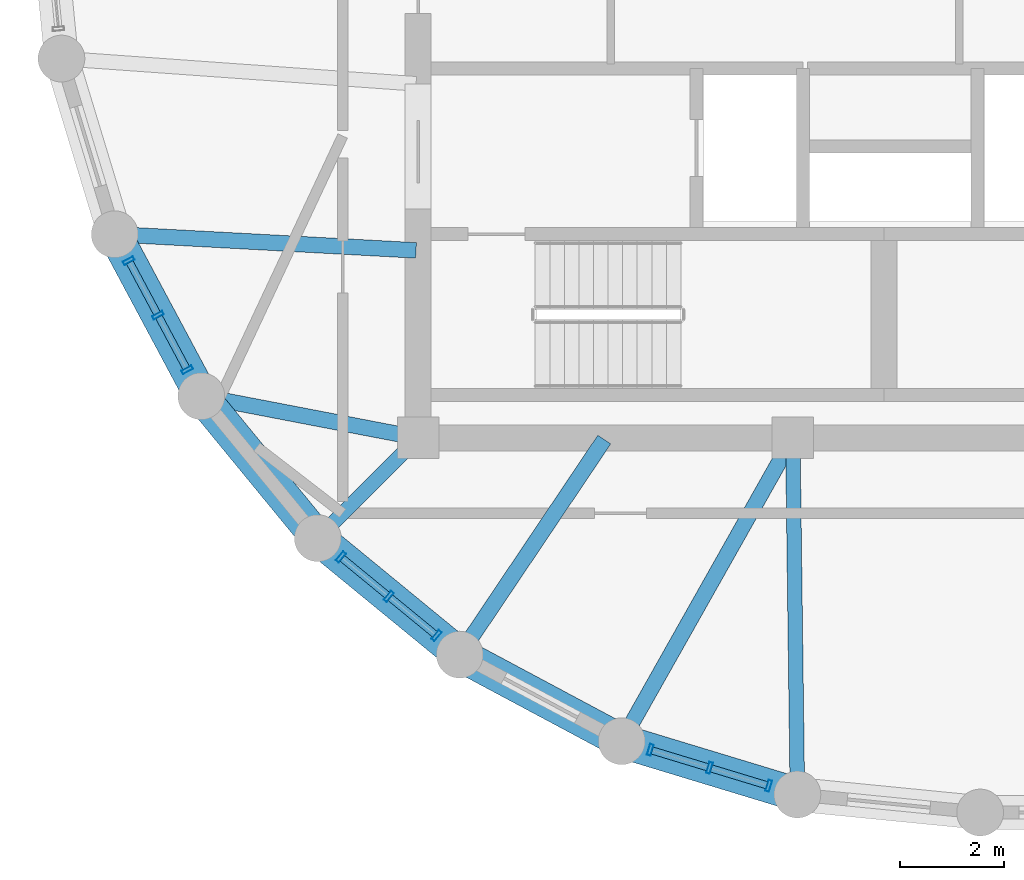
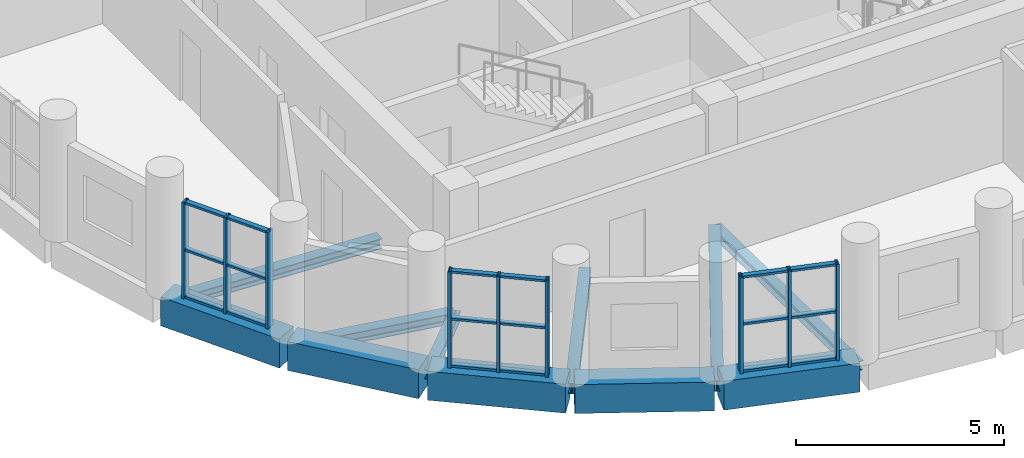
# One storey, part 2 of 11: 27 members, 11 beams, 3 elements without a shape of their own.
"""IFC4 building model written with IfcOpenShell, lengths in metres."""

from ifc_helpers import new_model, si_unit, direction, frame, origin, origin_2d, place, context, subcontext, project, spatial, rectangle, hollow_rectangle, i_section, extrude, material, layer, layer_set, material_profile, profile_set, type_object, element, aggregate, save


model = new_model("IFC4")

# Units and contexts
model_context = context("Model", 3, precision=1e-05, world=origin(), true_north=direction((0.0, 1.0)))
body_context = subcontext(model_context, "Body", "Model", "MODEL_VIEW")
ifc_project = project(units=[si_unit("LENGTHUNIT", "METRE"), si_unit("AREAUNIT", "SQUARE_METRE"), si_unit("VOLUMEUNIT", "CUBIC_METRE"), si_unit("PLANEANGLEUNIT", "RADIAN"), si_unit("MASSUNIT", "GRAM", prefix="KILO")], contexts=[model_context])

# Site, building, storey
site_placement = place(None, origin())
site = spatial("IfcSite", under=ifc_project, at=site_placement, CompositionType="ELEMENT")
building_placement = place(site_placement, origin())
building = spatial("IfcBuilding", under=site, at=building_placement, Name="Solnavia Interchange Tower", CompositionType="ELEMENT")
storey_placement = place(building_placement, frame((0.0, 0.0, 217.39990234375)))
storey = spatial("IfcBuildingStorey", under=building, at=storey_placement, Name="L54", CompositionType="ELEMENT", Elevation=217.39990234375)

# Beams
ifc_material_1 = material(Name="Steel S460", Category="steel")
ifc_material_profile_1 = material_profile(ifc_material_1, i_section(OverallWidth=0.300048828125, OverallDepth=0.300048828125, WebThickness=0.010986328125, FlangeThickness=0.01904296875, FilletRadius=0.027099609375, at=origin_2d()), Name="HEB 300")
ifc_profile_set_1 = profile_set([ifc_material_profile_1], Name="Steel S460")
beam_type_1 = type_object("IfcBeamType", Name="Beam-Girder-HEB300", PredefinedType="BEAM", material=ifc_profile_set_1)
beam_1_placement = place(storey_placement, frame((8.64990234375, 14.707763671875, -0.39990234375), z_axis=(0.998570371303, -0.053452909696, 0.0), x_axis=(0.053452909696, 0.998570371303, 0.0)))
element("IfcBeam", 1, at=beam_1_placement, inside=storey, type_object=beam_type_1, Name="GRD-L54-DR13 Drum radial floor girder", PredefinedType="BEAM", context=body_context, shape_type="SweptSolid", body=[
    extrude(i_section(OverallWidth=0.300048828125, OverallDepth=0.300048828125, WebThickness=0.010986328125, FlangeThickness=0.01904296875, FilletRadius=0.027099609375, at=origin_2d()), origin(), (0.0, 0.0, 1.0), 5.71826171875),
])
beam_2_placement = place(storey_placement, frame((15.24462890625, 6.700439453125, -0.39990234375), z_axis=(0.557835474219, 0.829951555033, 0.0), x_axis=(-0.829951555033, 0.557835474219, 0.0)))
element("IfcBeam", 2, at=beam_2_placement, inside=storey, type_object=beam_type_1, Name="GRD-L54-DR16 Drum radial floor girder", PredefinedType="BEAM", context=body_context, shape_type="SweptSolid", body=[
    extrude(i_section(OverallWidth=0.300048828125, OverallDepth=0.300048828125, WebThickness=0.010986328125, FlangeThickness=0.01904296875, FilletRadius=0.027099609375, at=origin_2d()), origin(), (0.0, 0.0, 1.0), 4.899658203125),
])
ifc_material_2 = material(Name="Steel S355", Category="steel")
ifc_material_profile_2 = material_profile(ifc_material_2, i_section(OverallWidth=0.280029296875, OverallDepth=0.27001953125, WebThickness=0.008056640625, FlangeThickness=0.012939453125, FilletRadius=0.02392578125, at=origin_2d()), Name="HEA 280")
ifc_profile_set_2 = profile_set([ifc_material_profile_2], Name="Steel S355")
beam_type_2 = type_object("IfcBeamType", Name="Beam-Primary-HEA280", PredefinedType="BEAM", material=ifc_profile_set_2)
beam_3_placement = place(storey_placement, frame((12.528564453125, 8.9287109375, -0.385009765625), z_axis=(0.707106781187, 0.707106781187, 0.0), x_axis=(-0.707106781187, 0.707106781187, 0.0)))
element("IfcBeam", 3, at=beam_3_placement, inside=storey, type_object=beam_type_2, Name="GRD-L54-DR15 Drum radial floor girder", PredefinedType="BEAM", context=body_context, shape_type="SweptSolid", body=[
    extrude(i_section(OverallWidth=0.280029296875, OverallDepth=0.27001953125, WebThickness=0.008056640625, FlangeThickness=0.012939453125, FilletRadius=0.02392578125, at=origin_2d()), origin(), (0.0, 0.0, 1.0), 2.6064453125),
])
beam_4_placement = place(storey_placement, frame((21.68701171875, 4.02587890625, -0.385009765625), z_axis=(-0.01283293513, 0.999917654498, 0.0), x_axis=(-0.999917654498, -0.01283293513, 0.0)))
element("IfcBeam", 4, at=beam_4_placement, inside=storey, type_object=beam_type_2, Name="GRD-L54-DR18 Drum radial floor girder", PredefinedType="BEAM", context=body_context, shape_type="SweptSolid", body=[
    extrude(i_section(OverallWidth=0.280029296875, OverallDepth=0.27001953125, WebThickness=0.008056640625, FlangeThickness=0.012939453125, FilletRadius=0.02392578125, at=origin_2d()), origin(), (0.0, 0.0, 1.0), 6.734619140625),
])
ifc_material_profile_3 = material_profile(ifc_material_2, i_section(OverallWidth=0.300048828125, OverallDepth=0.31005859375, WebThickness=0.009033203125, FlangeThickness=0.015380859375, FilletRadius=0.027099609375, at=origin_2d()), Name="HEA 320")
ifc_profile_set_3 = profile_set([ifc_material_profile_3], Name="Steel S355")
beam_type_3 = type_object("IfcBeamType", Name="Beam-Primary-HEA320", PredefinedType="BEAM", material=ifc_profile_set_3)
beam_5_placement = place(storey_placement, frame((10.3125, 11.5849609375, -0.40478515625), z_axis=(0.982057527796, -0.188581579428, 0.0), x_axis=(0.188581579428, 0.982057527796, 0.0)))
element("IfcBeam", 5, at=beam_5_placement, inside=storey, type_object=beam_type_3, Name="GRD-L54-DR14 Drum radial floor girder", PredefinedType="BEAM", context=body_context, shape_type="SweptSolid", body=[
    extrude(i_section(OverallWidth=0.300048828125, OverallDepth=0.31005859375, WebThickness=0.009033203125, FlangeThickness=0.015380859375, FilletRadius=0.027099609375, at=origin_2d()), origin(), (0.0, 0.0, 1.0), 4.1220703125),
])
beam_6_placement = place(storey_placement, frame((18.351318359375, 5.039794921875, -0.40478515625), z_axis=(0.491243158486, 0.871022479182, 0.0), x_axis=(-0.871022479182, 0.491243158486, 0.0)))
element("IfcBeam", 6, at=beam_6_placement, inside=storey, type_object=beam_type_3, Name="GRD-L54-DR17 Drum radial floor girder", PredefinedType="BEAM", context=body_context, shape_type="SweptSolid", body=[
    extrude(i_section(OverallWidth=0.300048828125, OverallDepth=0.31005859375, WebThickness=0.009033203125, FlangeThickness=0.015380859375, FilletRadius=0.027099609375, at=origin_2d()), origin(), (0.0, 0.0, 1.0), 6.5732421875),
])
ifc_material_3 = material(Name="Concrete C50/60", Category="concrete")
ifc_material_profile_4 = material_profile(ifc_material_3, rectangle(XDim=0.64990234375, YDim=0.85009765625, at=origin_2d()), Name="RC 650x850")
ifc_profile_set_4 = profile_set([ifc_material_profile_4], Name="Concrete C50/60")
beam_type_4 = type_object("IfcBeamType", Name="Beam-Spandrel-RC650x850", PredefinedType="SPANDREL", material=ifc_profile_set_4)
beam_7_placement = place(storey_placement, frame((8.607666015625, 14.6416015625, -0.4248046875), z_axis=(0.471509422952, -0.881861023102, 0.0), x_axis=(0.881861023102, 0.471509422952, 0.0)))
element("IfcBeam", 7, at=beam_7_placement, inside=storey, type_object=beam_type_4, Name="SPB-L54-03 Framed-tube perimeter spandrel beam", PredefinedType="SPANDREL", context=body_context, shape_type="SweptSolid", body=[
    extrude(rectangle(XDim=0.64990234375, YDim=0.85009765625, at=origin_2d()), origin(), (0.0, 0.0, 1.0), 3.369140625),
])
for number, where, z_axis, x_axis, name in (
    (8, (10.28466796875, 11.5380859375, -0.4248046875), (0.634298841675, -0.773087950656, 0.0), (0.773087950656, 0.634298841675, 0.0), "SPB-L54-04 Framed-tube perimeter spandrel beam"),
    (9, (12.53369140625, 8.8212890625, -0.4248046875), (0.773152644452, -0.634219984214, 0.0), (0.634219984214, 0.773152644452, 0.0), "SPB-L54-05 Framed-tube perimeter spandrel beam"),
):
    element("IfcBeam", number, at=place(storey_placement, frame(where, z_axis=z_axis, x_axis=x_axis)), inside=storey, type_object=beam_type_4, Name=name, PredefinedType="SPANDREL", context=body_context, shape_type="SweptSolid", body=[
        extrude(rectangle(XDim=0.64990234375, YDim=0.85009765625, at=origin_2d()), origin(), (0.0, 0.0, 1.0), 3.36865234375),
    ])
beam_8_placement = place(storey_placement, frame((15.2705078125, 6.59619140625, -0.4248046875), z_axis=(0.881875044348, -0.47148319817, 0.0), x_axis=(0.47148319817, 0.881875044348, 0.0)))
element("IfcBeam", 10, at=beam_8_placement, inside=storey, type_object=beam_type_4, Name="SPB-L54-06 Framed-tube perimeter spandrel beam", PredefinedType="SPANDREL", context=body_context, shape_type="SweptSolid", body=[
    extrude(rectangle(XDim=0.64990234375, YDim=0.85009765625, at=origin_2d()), origin(), (0.0, 0.0, 1.0), 3.368896484375),
])
beam_9_placement = place(storey_placement, frame((18.388671875, 4.94677734375, -0.4248046875), z_axis=(0.956943884494, -0.290272978297, 0.0), x_axis=(0.290272978297, 0.956943884494, 0.0)))
element("IfcBeam", 11, at=beam_9_placement, inside=storey, type_object=beam_type_4, Name="SPB-L54-07 Framed-tube perimeter spandrel beam", PredefinedType="SPANDREL", context=body_context, shape_type="SweptSolid", body=[
    extrude(rectangle(XDim=0.64990234375, YDim=0.85009765625, at=origin_2d()), origin(), (0.0, 0.0, 1.0), 3.36767578125),
])

# Curtain wall, members
ifc_material_4 = material(Name="Aluminium Alloy 6063-T6", Category="aluminium")
ifc_layer = layer(ifc_material_4, 0.239990234375)
ifc_layer_set = layer_set([ifc_layer], Name="Aluminium Alloy 6063-T6")
curtain_wall_type = type_object("IfcCurtainWallType", Name="CurtainWall-Drum-CTW2", PredefinedType="NOTDEFINED", material=ifc_layer_set)
curtain_wall_1_placement = place(storey_placement, origin())
curtain_wall_1 = element("IfcCurtainWall", 12, at=curtain_wall_1_placement, inside=storey, type_object=curtain_wall_type, Name="CTW-L54-D49 CTW-2 curtain wall", PredefinedType="NOTDEFINED")
ifc_material_profile_5 = material_profile(ifc_material_4, hollow_rectangle(XDim=0.074951171875, YDim=0.219970703125, WallThickness=0.0048828125, at=origin_2d()), Name="ALU 220x75x5")
ifc_profile_set_5 = profile_set([ifc_material_profile_5], Name="Aluminium Alloy 6063-T6")
member_type_1 = type_object("IfcMemberType", Name="CW-Mullion-CWM-2", PredefinedType="MULLION", material=ifc_profile_set_5)
member_1_placement = place(storey_placement, frame((8.841064453125, 14.204833984375, 0.0), z_axis=(0.0, 0.0, 1.0), x_axis=(0.471560876964, -0.881833509976, 0.0)))
member_1 = element("IfcMember", 13, at=member_1_placement, type_object=member_type_1, Name="CTW-2 mullion 1", PredefinedType="MULLION", context=body_context, shape_type="SweptSolid", body=[
    extrude(hollow_rectangle(XDim=0.074951171875, YDim=0.219970703125, WallThickness=0.0048828125, at=origin_2d()), origin(), (0.0, 0.0, 1.0), 2.830078125),
])
member_2_placement = place(storey_placement, frame((9.402099609375, 13.156005859375, 0.0), z_axis=(0.0, 0.0, 1.0), x_axis=(0.471560876964, -0.881833509976, 0.0)))
member_2 = element("IfcMember", 14, at=member_2_placement, type_object=member_type_1, Name="CTW-2 mullion 2", PredefinedType="MULLION", context=body_context, shape_type="SweptSolid", body=[
    extrude(hollow_rectangle(XDim=0.074951171875, YDim=0.219970703125, WallThickness=0.0048828125, at=origin_2d()), origin(), (0.0, 0.0, 1.0), 2.830078125),
])
member_3_placement = place(storey_placement, frame((9.962890625, 12.107177734375, 0.0), z_axis=(0.0, 0.0, 1.0), x_axis=(0.471560876964, -0.881833509976, 0.0)))
member_3 = element("IfcMember", 15, at=member_3_placement, type_object=member_type_1, Name="CTW-2 mullion 3", PredefinedType="MULLION", context=body_context, shape_type="SweptSolid", body=[
    extrude(hollow_rectangle(XDim=0.074951171875, YDim=0.219970703125, WallThickness=0.0048828125, at=origin_2d()), origin(), (0.0, 0.0, 1.0), 2.830078125),
])

curtain_wall_2_placement = place(storey_placement, origin())
curtain_wall_2 = element("IfcCurtainWall", 16, at=curtain_wall_2_placement, inside=storey, type_object=curtain_wall_type, Name="CTW-L54-D51 CTW-2 curtain wall", PredefinedType="NOTDEFINED")
member_4_placement = place(storey_placement, frame((12.91650390625, 8.50732421875, 0.0), z_axis=(0.0, 0.0, 1.0), x_axis=(0.773103093557, -0.634280384951, 0.0)))
member_4 = element("IfcMember", 17, at=member_4_placement, type_object=member_type_1, Name="CTW-2 mullion 1", PredefinedType="MULLION", context=body_context, shape_type="SweptSolid", body=[
    extrude(hollow_rectangle(XDim=0.074951171875, YDim=0.219970703125, WallThickness=0.0048828125, at=origin_2d()), origin(), (0.0, 0.0, 1.0), 2.830078125),
])
member_5_placement = place(storey_placement, frame((13.8359375, 7.7529296875, 0.0), z_axis=(0.0, 0.0, 1.0), x_axis=(0.773103093557, -0.634280384951, 0.0)))
member_5 = element("IfcMember", 18, at=member_5_placement, type_object=member_type_1, Name="CTW-2 mullion 2", PredefinedType="MULLION", context=body_context, shape_type="SweptSolid", body=[
    extrude(hollow_rectangle(XDim=0.074951171875, YDim=0.219970703125, WallThickness=0.0048828125, at=origin_2d()), origin(), (0.0, 0.0, 1.0), 2.830078125),
])
member_6_placement = place(storey_placement, frame((14.75537109375, 6.998779296875, 0.0), z_axis=(0.0, 0.0, 1.0), x_axis=(0.773103093557, -0.634280384951, 0.0)))
member_6 = element("IfcMember", 19, at=member_6_placement, type_object=member_type_1, Name="CTW-2 mullion 3", PredefinedType="MULLION", context=body_context, shape_type="SweptSolid", body=[
    extrude(hollow_rectangle(XDim=0.074951171875, YDim=0.219970703125, WallThickness=0.0048828125, at=origin_2d()), origin(), (0.0, 0.0, 1.0), 2.830078125),
])

curtain_wall_3_placement = place(storey_placement, origin())
curtain_wall_3 = element("IfcCurtainWall", 20, at=curtain_wall_3_placement, inside=storey, type_object=curtain_wall_type, Name="CTW-L54-D53 CTW-2 curtain wall", PredefinedType="NOTDEFINED")
member_7_placement = place(storey_placement, frame((18.8623046875, 4.80322265625, 0.0), z_axis=(0.0, 0.0, 1.0), x_axis=(0.956942072515, -0.290278951786, 0.0)))
member_7 = element("IfcMember", 21, at=member_7_placement, type_object=member_type_1, Name="CTW-2 mullion 1", PredefinedType="MULLION", context=body_context, shape_type="SweptSolid", body=[
    extrude(hollow_rectangle(XDim=0.074951171875, YDim=0.219970703125, WallThickness=0.0048828125, at=origin_2d()), origin(), (0.0, 0.0, 1.0), 2.830078125),
])
member_8_placement = place(storey_placement, frame((20.0, 4.4580078125, 0.0), z_axis=(0.0, 0.0, 1.0), x_axis=(0.956942072515, -0.290278951786, 0.0)))
member_8 = element("IfcMember", 22, at=member_8_placement, type_object=member_type_1, Name="CTW-2 mullion 2", PredefinedType="MULLION", context=body_context, shape_type="SweptSolid", body=[
    extrude(hollow_rectangle(XDim=0.074951171875, YDim=0.219970703125, WallThickness=0.0048828125, at=origin_2d()), origin(), (0.0, 0.0, 1.0), 2.830078125),
])
member_9_placement = place(storey_placement, frame((21.1376953125, 4.11279296875, 0.0), z_axis=(0.0, 0.0, 1.0), x_axis=(0.956942072515, -0.290278951786, 0.0)))
member_9 = element("IfcMember", 23, at=member_9_placement, type_object=member_type_1, Name="CTW-2 mullion 3", PredefinedType="MULLION", context=body_context, shape_type="SweptSolid", body=[
    extrude(hollow_rectangle(XDim=0.074951171875, YDim=0.219970703125, WallThickness=0.0048828125, at=origin_2d()), origin(), (0.0, 0.0, 1.0), 2.830078125),
])

# Member
ifc_material_profile_6 = material_profile(ifc_material_4, hollow_rectangle(XDim=0.06494140625, YDim=0.139892578125, WallThickness=0.00390625, at=origin_2d()), Name="ALU 140x65x4")
ifc_profile_set_6 = profile_set([ifc_material_profile_6], Name="Aluminium Alloy 6063-T6")
member_type_2 = type_object("IfcMemberType", Name="CW-Transom-CWT-2", PredefinedType="USERDEFINED", material=ifc_profile_set_6)
member_10_placement = place(storey_placement, frame((8.85888671875, 14.171875, 0.03271484375), z_axis=(0.471406647105, -0.881915967122, 0.0), x_axis=(0.0, 0.0, 1.0)))
member_10 = element("IfcMember", 24, at=member_10_placement, type_object=member_type_2, Name="CTW-2 transom 1.1", ObjectType="TRANSOM", PredefinedType="USERDEFINED", context=body_context, shape_type="SweptSolid", body=[
    extrude(hollow_rectangle(XDim=0.06494140625, YDim=0.139892578125, WallThickness=0.00390625, at=origin_2d()), origin(), (0.0, 0.0, 1.0), 1.114501953125),
])

member_11_placement = place(storey_placement, frame((8.85888671875, 14.171875, 1.4150390625), z_axis=(0.471406647105, -0.881915967122, 0.0), x_axis=(0.0, 0.0, 1.0)))
member_11 = element("IfcMember", 25, at=member_11_placement, type_object=member_type_2, Name="CTW-2 transom 1.2", ObjectType="TRANSOM", PredefinedType="USERDEFINED", context=body_context, shape_type="SweptSolid", body=[
    extrude(hollow_rectangle(XDim=0.06494140625, YDim=0.139892578125, WallThickness=0.00390625, at=origin_2d()), origin(), (0.0, 0.0, 1.0), 1.114501953125),
])

member_12_placement = place(storey_placement, frame((8.85888671875, 14.171875, 2.797607421875), z_axis=(0.471406647105, -0.881915967122, 0.0), x_axis=(0.0, 0.0, 1.0)))
member_12 = element("IfcMember", 26, at=member_12_placement, type_object=member_type_2, Name="CTW-2 transom 1.3", ObjectType="TRANSOM", PredefinedType="USERDEFINED", context=body_context, shape_type="SweptSolid", body=[
    extrude(hollow_rectangle(XDim=0.06494140625, YDim=0.139892578125, WallThickness=0.00390625, at=origin_2d()), origin(), (0.0, 0.0, 1.0), 1.114501953125),
])

member_13_placement = place(storey_placement, frame((9.419677734375, 13.123046875, 0.03271484375), z_axis=(0.471576996491, -0.881824889862, 0.0), x_axis=(0.0, 0.0, 1.0)))
member_13 = element("IfcMember", 27, at=member_13_placement, type_object=member_type_2, Name="CTW-2 transom 2.1", ObjectType="TRANSOM", PredefinedType="USERDEFINED", context=body_context, shape_type="SweptSolid", body=[
    extrude(hollow_rectangle(XDim=0.06494140625, YDim=0.139892578125, WallThickness=0.00390625, at=origin_2d()), origin(), (0.0, 0.0, 1.0), 1.11474609375),
])

member_14_placement = place(storey_placement, frame((9.419677734375, 13.123046875, 1.4150390625), z_axis=(0.471576996491, -0.881824889862, 0.0), x_axis=(0.0, 0.0, 1.0)))
member_14 = element("IfcMember", 28, at=member_14_placement, type_object=member_type_2, Name="CTW-2 transom 2.2", ObjectType="TRANSOM", PredefinedType="USERDEFINED", context=body_context, shape_type="SweptSolid", body=[
    extrude(hollow_rectangle(XDim=0.06494140625, YDim=0.139892578125, WallThickness=0.00390625, at=origin_2d()), origin(), (0.0, 0.0, 1.0), 1.11474609375),
])

member_15_placement = place(storey_placement, frame((9.419677734375, 13.123046875, 2.797607421875), z_axis=(0.471576996491, -0.881824889862, 0.0), x_axis=(0.0, 0.0, 1.0)))
member_15 = element("IfcMember", 29, at=member_15_placement, type_object=member_type_2, Name="CTW-2 transom 2.3", ObjectType="TRANSOM", PredefinedType="USERDEFINED", context=body_context, shape_type="SweptSolid", body=[
    extrude(hollow_rectangle(XDim=0.06494140625, YDim=0.139892578125, WallThickness=0.00390625, at=origin_2d()), origin(), (0.0, 0.0, 1.0), 1.11474609375),
])

aggregate(curtain_wall_1, [member_1, member_2, member_3, member_10, member_11, member_12, member_13, member_14, member_15])

member_16_placement = place(storey_placement, frame((12.945556640625, 8.483642578125, 0.03271484375), z_axis=(0.773136723636, -0.634239392158, 0.0), x_axis=(0.0, 0.0, 1.0)))
member_16 = element("IfcMember", 30, at=member_16_placement, type_object=member_type_2, Name="CTW-2 transom 1.1", ObjectType="TRANSOM", PredefinedType="USERDEFINED", context=body_context, shape_type="SweptSolid", body=[
    extrude(hollow_rectangle(XDim=0.06494140625, YDim=0.139892578125, WallThickness=0.00390625, at=origin_2d()), origin(), (0.0, 0.0, 1.0), 1.114501953125),
])

member_17_placement = place(storey_placement, frame((12.945556640625, 8.483642578125, 1.4150390625), z_axis=(0.773136723636, -0.634239392158, 0.0), x_axis=(0.0, 0.0, 1.0)))
member_17 = element("IfcMember", 31, at=member_17_placement, type_object=member_type_2, Name="CTW-2 transom 1.2", ObjectType="TRANSOM", PredefinedType="USERDEFINED", context=body_context, shape_type="SweptSolid", body=[
    extrude(hollow_rectangle(XDim=0.06494140625, YDim=0.139892578125, WallThickness=0.00390625, at=origin_2d()), origin(), (0.0, 0.0, 1.0), 1.114501953125),
])

member_18_placement = place(storey_placement, frame((12.945556640625, 8.483642578125, 2.797607421875), z_axis=(0.773136723636, -0.634239392158, 0.0), x_axis=(0.0, 0.0, 1.0)))
member_18 = element("IfcMember", 32, at=member_18_placement, type_object=member_type_2, Name="CTW-2 transom 1.3", ObjectType="TRANSOM", PredefinedType="USERDEFINED", context=body_context, shape_type="SweptSolid", body=[
    extrude(hollow_rectangle(XDim=0.06494140625, YDim=0.139892578125, WallThickness=0.00390625, at=origin_2d()), origin(), (0.0, 0.0, 1.0), 1.114501953125),
])

member_19_placement = place(storey_placement, frame((13.864990234375, 7.729248046875, 0.03271484375), z_axis=(0.773048573819, -0.634346831407, 0.0), x_axis=(0.0, 0.0, 1.0)))
member_19 = element("IfcMember", 33, at=member_19_placement, type_object=member_type_2, Name="CTW-2 transom 2.1", ObjectType="TRANSOM", PredefinedType="USERDEFINED", context=body_context, shape_type="SweptSolid", body=[
    extrude(hollow_rectangle(XDim=0.06494140625, YDim=0.139892578125, WallThickness=0.00390625, at=origin_2d()), origin(), (0.0, 0.0, 1.0), 1.1142578125),
])

member_20_placement = place(storey_placement, frame((13.864990234375, 7.729248046875, 1.4150390625), z_axis=(0.773048573819, -0.634346831407, 0.0), x_axis=(0.0, 0.0, 1.0)))
member_20 = element("IfcMember", 34, at=member_20_placement, type_object=member_type_2, Name="CTW-2 transom 2.2", ObjectType="TRANSOM", PredefinedType="USERDEFINED", context=body_context, shape_type="SweptSolid", body=[
    extrude(hollow_rectangle(XDim=0.06494140625, YDim=0.139892578125, WallThickness=0.00390625, at=origin_2d()), origin(), (0.0, 0.0, 1.0), 1.1142578125),
])

member_21_placement = place(storey_placement, frame((13.864990234375, 7.729248046875, 2.797607421875), z_axis=(0.773048573819, -0.634346831407, 0.0), x_axis=(0.0, 0.0, 1.0)))
member_21 = element("IfcMember", 35, at=member_21_placement, type_object=member_type_2, Name="CTW-2 transom 2.3", ObjectType="TRANSOM", PredefinedType="USERDEFINED", context=body_context, shape_type="SweptSolid", body=[
    extrude(hollow_rectangle(XDim=0.06494140625, YDim=0.139892578125, WallThickness=0.00390625, at=origin_2d()), origin(), (0.0, 0.0, 1.0), 1.1142578125),
])

aggregate(curtain_wall_2, [member_4, member_5, member_6, member_16, member_17, member_18, member_19, member_20, member_21])

member_22_placement = place(storey_placement, frame((18.898193359375, 4.792236328125, 0.03271484375), z_axis=(0.956965394332, -0.290202057283, 0.0), x_axis=(0.0, 0.0, 1.0)))
member_22 = element("IfcMember", 36, at=member_22_placement, type_object=member_type_2, Name="CTW-2 transom 1.1", ObjectType="TRANSOM", PredefinedType="USERDEFINED", context=body_context, shape_type="SweptSolid", body=[
    extrude(hollow_rectangle(XDim=0.06494140625, YDim=0.139892578125, WallThickness=0.00390625, at=origin_2d()), origin(), (0.0, 0.0, 1.0), 1.11376953125),
])

member_23_placement = place(storey_placement, frame((18.898193359375, 4.792236328125, 1.4150390625), z_axis=(0.956965394332, -0.290202057283, 0.0), x_axis=(0.0, 0.0, 1.0)))
member_23 = element("IfcMember", 37, at=member_23_placement, type_object=member_type_2, Name="CTW-2 transom 1.2", ObjectType="TRANSOM", PredefinedType="USERDEFINED", context=body_context, shape_type="SweptSolid", body=[
    extrude(hollow_rectangle(XDim=0.06494140625, YDim=0.139892578125, WallThickness=0.00390625, at=origin_2d()), origin(), (0.0, 0.0, 1.0), 1.11376953125),
])

member_24_placement = place(storey_placement, frame((18.898193359375, 4.792236328125, 2.797607421875), z_axis=(0.956965394332, -0.290202057283, 0.0), x_axis=(0.0, 0.0, 1.0)))
member_24 = element("IfcMember", 38, at=member_24_placement, type_object=member_type_2, Name="CTW-2 transom 1.3", ObjectType="TRANSOM", PredefinedType="USERDEFINED", context=body_context, shape_type="SweptSolid", body=[
    extrude(hollow_rectangle(XDim=0.06494140625, YDim=0.139892578125, WallThickness=0.00390625, at=origin_2d()), origin(), (0.0, 0.0, 1.0), 1.11376953125),
])

member_25_placement = place(storey_placement, frame((20.035888671875, 4.447021484375, 0.03271484375), z_axis=(0.956965394332, -0.290202057283, 0.0), x_axis=(0.0, 0.0, 1.0)))
member_25 = element("IfcMember", 39, at=member_25_placement, type_object=member_type_2, Name="CTW-2 transom 2.1", ObjectType="TRANSOM", PredefinedType="USERDEFINED", context=body_context, shape_type="SweptSolid", body=[
    extrude(hollow_rectangle(XDim=0.06494140625, YDim=0.139892578125, WallThickness=0.00390625, at=origin_2d()), origin(), (0.0, 0.0, 1.0), 1.11376953125),
])

member_26_placement = place(storey_placement, frame((20.035888671875, 4.447021484375, 1.4150390625), z_axis=(0.956965394332, -0.290202057283, 0.0), x_axis=(0.0, 0.0, 1.0)))
member_26 = element("IfcMember", 40, at=member_26_placement, type_object=member_type_2, Name="CTW-2 transom 2.2", ObjectType="TRANSOM", PredefinedType="USERDEFINED", context=body_context, shape_type="SweptSolid", body=[
    extrude(hollow_rectangle(XDim=0.06494140625, YDim=0.139892578125, WallThickness=0.00390625, at=origin_2d()), origin(), (0.0, 0.0, 1.0), 1.11376953125),
])

member_27_placement = place(storey_placement, frame((20.035888671875, 4.447021484375, 2.797607421875), z_axis=(0.956965394332, -0.290202057283, 0.0), x_axis=(0.0, 0.0, 1.0)))
member_27 = element("IfcMember", 41, at=member_27_placement, type_object=member_type_2, Name="CTW-2 transom 2.3", ObjectType="TRANSOM", PredefinedType="USERDEFINED", context=body_context, shape_type="SweptSolid", body=[
    extrude(hollow_rectangle(XDim=0.06494140625, YDim=0.139892578125, WallThickness=0.00390625, at=origin_2d()), origin(), (0.0, 0.0, 1.0), 1.11376953125),
])

aggregate(curtain_wall_3, [member_7, member_8, member_9, member_22, member_23, member_24, member_25, member_26, member_27])

save(model, "model.ifc")
